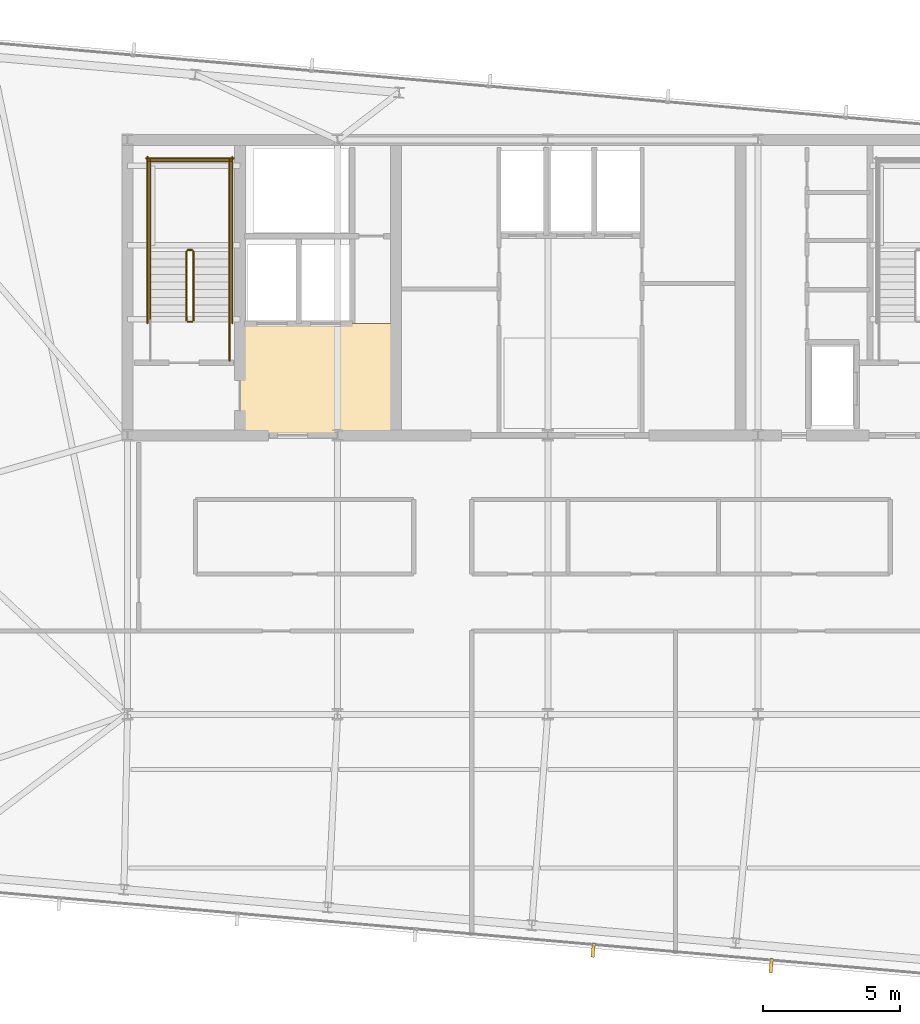
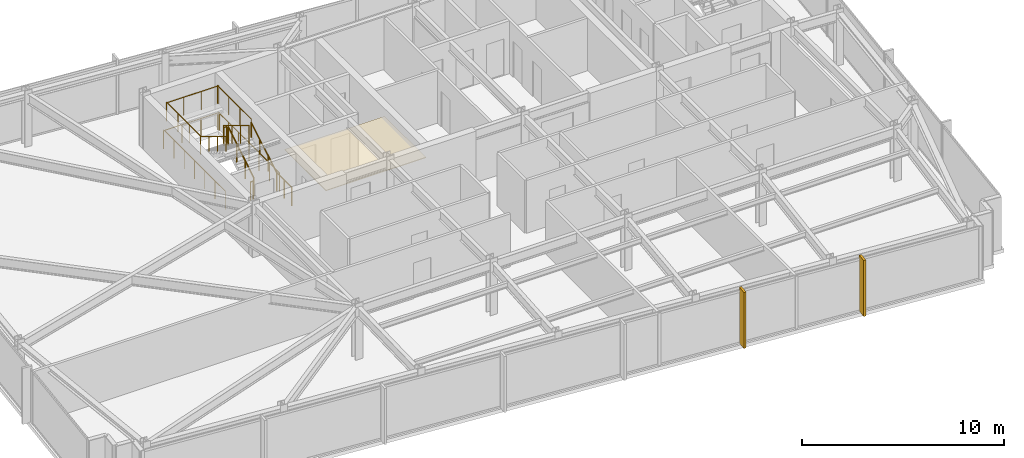
# One storey, part 30 of 32: 13 railings, 2 shading devices, 1 covering.
"""IFC4 building model written with IfcOpenShell, lengths in metres."""

from ifc_helpers import new_model, si_unit, direction, frame, origin, origin_2d, place, context, subcontext, project, spatial, polyline, rectangle, circle, outline, extrude, material, layer, layer_set, type_object, element, save


model = new_model("IFC4")

# Units and contexts
model_context = context("Model", 3, precision=1e-05, world=origin(), true_north=direction((0.0, 1.0)))
body_context = subcontext(model_context, "Body", "Model", "MODEL_VIEW")
ifc_project = project(units=[si_unit("LENGTHUNIT", "METRE"), si_unit("AREAUNIT", "SQUARE_METRE"), si_unit("VOLUMEUNIT", "CUBIC_METRE"), si_unit("PLANEANGLEUNIT", "RADIAN"), si_unit("MASSUNIT", "GRAM", prefix="KILO")], contexts=[model_context])

# Site, building, storey
site_placement = place(None, origin())
site = spatial("IfcSite", under=ifc_project, at=site_placement, CompositionType="ELEMENT")
building_placement = place(site_placement, origin())
building = spatial("IfcBuilding", under=site, at=building_placement, Name="Yelkora Congress Tower", CompositionType="ELEMENT")
storey_placement = place(building_placement, frame((0.0, 0.0, 265.89990234375)))
storey = spatial("IfcBuildingStorey", under=building, at=storey_placement, Name="L74", CompositionType="ELEMENT", Elevation=265.89990234375)

# Covering
ifc_material_1 = material(Name="Perforated mineral-fibre acoustic ceiling", Category="gypsum")
ifc_layer_1 = layer(ifc_material_1, 0.0400390625)
ifc_layer_set_1 = layer_set([ifc_layer_1], Name="Perforated mineral-fibre acoustic ceiling")
covering_type = type_object("IfcCoveringType", Name="COV-CEIL-ACOUSTIC-40", PredefinedType="CEILING", material=ifc_layer_set_1)
covering_placement = place(storey_placement, frame((0.0, 0.0, 2.400146484375)))
element("IfcCovering", 1, at=covering_placement, inside=storey, type_object=covering_type, Name="L74 Firefighting Lobby Acoustic Ceiling", PredefinedType="CEILING", context=body_context, shape_type="SweptSolid", body=[
    extrude(outline(polyline([(27.14990234375, 35.39990234375), (32.85009765625, 35.39990234375), (32.85009765625, 39.47998046875), (27.14990234375, 39.47998046875), (27.14990234375, 35.39990234375)])), origin(), (0.0, 0.0, 1.0), 0.0400390625),
])

# Railings
ifc_material_2 = material(Name="Painted galvanised steel stair well guard with vertical infill", Category="steel")
ifc_layer_2 = layer(ifc_material_2, 0.06005859375)
ifc_layer_set_2 = layer_set([ifc_layer_2], Name="Painted galvanised steel stair well guard with vertical infill")
railing_type_1 = type_object("IfcRailingType", Name="RAIL-STAIR-GUARD-1120", PredefinedType="GUARDRAIL", material=ifc_layer_set_2)
railing_1_placement = place(storey_placement, frame((25.449951171875, 39.60009765625, 0.170166015625)))
element("IfcRailing", 2, at=railing_1_placement, inside=storey, type_object=railing_type_1, Name="ST-01 L74 Stair Well Guardrail 1", PredefinedType="GUARDRAIL", context=body_context, shape_type="SweptSolid", body=[
    extrude(circle(Radius=0.02392578125, at=origin_2d()), frame((0.0, 0.0, 1.09619140625), z_axis=(0.0, 0.85478489116, 0.518982456201), x_axis=(-1.0, 0.0, 0.0)), (0.0, 0.0, 1.0), 2.9482421875),
    extrude(circle(Radius=0.02099609375, at=origin_2d()), origin(), (0.0, 0.0, 1.0), 1.072021484375),
    extrude(circle(Radius=0.02099609375, at=origin_2d()), frame((0.0, 0.840087890625, 0.510009765625)), (0.0, 0.0, 1.0), 1.072021484375),
    extrude(circle(Radius=0.02099609375, at=origin_2d()), frame((0.0, 1.679931640625, 1.02001953125)), (0.0, 0.0, 1.0), 1.072021484375),
    extrude(circle(Radius=0.02099609375, at=origin_2d()), frame((0.0, 2.52001953125, 1.530029296875)), (0.0, 0.0, 1.0), 1.072021484375),
])
railing_2_placement = place(storey_placement, frame((25.39990234375, 42.169921875, 1.7001953125)))
element("IfcRailing", 3, at=railing_2_placement, inside=storey, type_object=railing_type_1, Name="ST-01 L74 Stair Well Guardrail 2", PredefinedType="GUARDRAIL", context=body_context, shape_type="SweptSolid", body=[
    extrude(circle(Radius=0.02392578125, at=origin_2d()), frame((0.0, 0.0, 1.09619140625), z_axis=(-1.0, 0.0, 0.0), x_axis=(0.0, -1.0, 0.0)), (0.0, 0.0, 1.0), 0.159912109375),
    extrude(circle(Radius=0.02099609375, at=origin_2d()), origin(), (0.0, 0.0, 1.0), 1.072021484375),
    extrude(circle(Radius=0.02099609375, at=origin_2d()), frame((-0.159912109375, 0.0, 0.0)), (0.0, 0.0, 1.0), 1.072021484375),
])
for number, where, name in (
    (4, (26.77001953125, 42.1201171875, 1.7001953125), "ST-01 L74 Stair Well Guardrail 3"),
    (5, (23.8701171875, 42.1201171875, 1.7001953125), "ST-01 L74 Stair Well Guardrail 4"),
):
    element("IfcRailing", number, at=place(storey_placement, frame(where)), inside=storey, type_object=railing_type_1, Name=name, PredefinedType="GUARDRAIL", context=body_context, shape_type="SweptSolid", body=[
        extrude(circle(Radius=0.02392578125, at=origin_2d()), frame((0.0, 0.0, 1.09619140625), z_axis=(0.0, 1.0, 0.0), x_axis=(-1.0, 0.0, 0.0)), (0.0, 0.0, 1.0), 3.349853515625),
        extrude(circle(Radius=0.02099609375, at=origin_2d()), origin(), (0.0, 0.0, 1.0), 1.072021484375),
        extrude(circle(Radius=0.02099609375, at=origin_2d()), frame((0.0, 1.11669921875, 0.0)), (0.0, 0.0, 1.0), 1.072021484375),
        extrude(circle(Radius=0.02099609375, at=origin_2d()), frame((0.0, 2.233154296875, 0.0)), (0.0, 0.0, 1.0), 1.072021484375),
        extrude(circle(Radius=0.02099609375, at=origin_2d()), frame((0.0, 3.349853515625, 0.0)), (0.0, 0.0, 1.0), 1.072021484375),
    ])
railing_3_placement = place(storey_placement, frame((26.820068359375, 45.419921875, 1.7001953125)))
element("IfcRailing", 6, at=railing_3_placement, inside=storey, type_object=railing_type_1, Name="ST-01 L74 Stair Well Guardrail 5", PredefinedType="GUARDRAIL", context=body_context, shape_type="SweptSolid", body=[
    extrude(circle(Radius=0.02392578125, at=origin_2d()), frame((0.0, 0.0, 1.09619140625), z_axis=(-1.0, 0.0, 0.0), x_axis=(0.0, -1.0, 0.0)), (0.0, 0.0, 1.0), 3.0),
    extrude(circle(Radius=0.02099609375, at=origin_2d()), origin(), (0.0, 0.0, 1.0), 1.072021484375),
    extrude(circle(Radius=0.02099609375, at=origin_2d()), frame((-1.0, 0.0, 0.0)), (0.0, 0.0, 1.0), 1.072021484375),
    extrude(circle(Radius=0.02099609375, at=origin_2d()), frame((-2.0, 0.0, 0.0)), (0.0, 0.0, 1.0), 1.072021484375),
    extrude(circle(Radius=0.02099609375, at=origin_2d()), frame((-3.0, 0.0, 0.0)), (0.0, 0.0, 1.0), 1.072021484375),
])
railing_4_placement = place(storey_placement, frame((25.18994140625, 42.1201171875, 1.8701171875)))
element("IfcRailing", 7, at=railing_4_placement, inside=storey, type_object=railing_type_1, Name="ST-01 L74 Stair Well Guardrail 6", PredefinedType="GUARDRAIL", context=body_context, shape_type="SweptSolid", body=[
    extrude(circle(Radius=0.02392578125, at=origin_2d()), frame((0.0, 0.0, 1.09619140625), z_axis=(0.0, -0.85478489116, 0.518982456201), x_axis=(1.0, 0.0, 0.0)), (0.0, 0.0, 1.0), 2.9482421875),
    extrude(circle(Radius=0.02099609375, at=origin_2d()), origin(), (0.0, 0.0, 1.0), 1.072021484375),
    extrude(circle(Radius=0.02099609375, at=origin_2d()), frame((0.0, -0.840087890625, 0.510009765625)), (0.0, 0.0, 1.0), 1.072021484375),
    extrude(circle(Radius=0.02099609375, at=origin_2d()), frame((0.0, -1.679931640625, 1.02001953125)), (0.0, 0.0, 1.0), 1.072021484375),
    extrude(circle(Radius=0.02099609375, at=origin_2d()), frame((0.0, -2.52001953125, 1.530029296875)), (0.0, 0.0, 1.0), 1.072021484375),
])
railing_5_placement = place(storey_placement, frame((25.39990234375, 39.550048828125, 0.0)))
element("IfcRailing", 8, at=railing_5_placement, inside=storey, type_object=railing_type_1, Name="ST-01 L74 Stair Well Guardrail 7", PredefinedType="GUARDRAIL", context=body_context, shape_type="SweptSolid", body=[
    extrude(circle(Radius=0.02392578125, at=origin_2d()), frame((0.0, 0.0, 1.09619140625), z_axis=(-1.0, 0.0, 0.0), x_axis=(0.0, -1.0, 0.0)), (0.0, 0.0, 1.0), 0.159912109375),
    extrude(circle(Radius=0.02099609375, at=origin_2d()), origin(), (0.0, 0.0, 1.0), 1.072021484375),
    extrude(circle(Radius=0.02099609375, at=origin_2d()), frame((-0.159912109375, 0.0, 0.0)), (0.0, 0.0, 1.0), 1.072021484375),
])
railing_6_placement = place(storey_placement, frame((26.77001953125, 38.1201171875, 0.0)))
element("IfcRailing", 9, at=railing_6_placement, inside=storey, type_object=railing_type_1, Name="ST-01 L74 Stair Well Guardrail 8", PredefinedType="GUARDRAIL", context=body_context, shape_type="SweptSolid", body=[
    extrude(circle(Radius=0.02392578125, at=origin_2d()), frame((0.0, 0.0, 1.09619140625), z_axis=(0.0, 1.0, 0.0), x_axis=(-1.0, 0.0, 0.0)), (0.0, 0.0, 1.0), 1.47998046875),
    extrude(circle(Radius=0.02099609375, at=origin_2d()), origin(), (0.0, 0.0, 1.0), 1.072021484375),
    extrude(circle(Radius=0.02099609375, at=origin_2d()), frame((0.0, 0.739990234375, 0.0)), (0.0, 0.0, 1.0), 1.072021484375),
    extrude(circle(Radius=0.02099609375, at=origin_2d()), frame((0.0, 1.47998046875, 0.0)), (0.0, 0.0, 1.0), 1.072021484375),
])
for number, where, name in (
    (10, (26.8701171875, 39.5, 0.0), "ST-01 L74 Stair Well Guardrail 10"),
    (11, (23.77001953125, 39.5, 0.0), "ST-01 L74 Stair Well Guardrail 11"),
):
    element("IfcRailing", number, at=place(storey_placement, frame(where)), inside=storey, type_object=railing_type_1, Name=name, PredefinedType="GUARDRAIL", context=body_context, shape_type="SweptSolid", body=[
        extrude(circle(Radius=0.02392578125, at=origin_2d()), frame((0.0, 0.0, 1.09619140625), z_axis=(0.0, 1.0, 0.0), x_axis=(-1.0, 0.0, 0.0)), (0.0, 0.0, 1.0), 6.070068359375),
        extrude(circle(Radius=0.02099609375, at=origin_2d()), origin(), (0.0, 0.0, 1.0), 1.072021484375),
        extrude(circle(Radius=0.02099609375, at=origin_2d()), frame((0.0, 1.01171875, 0.0)), (0.0, 0.0, 1.0), 1.072021484375),
        extrude(circle(Radius=0.02099609375, at=origin_2d()), frame((0.0, 2.0234375, 0.0)), (0.0, 0.0, 1.0), 1.072021484375),
        extrude(circle(Radius=0.02099609375, at=origin_2d()), frame((0.0, 3.03515625, 0.0)), (0.0, 0.0, 1.0), 1.072021484375),
        extrude(circle(Radius=0.02099609375, at=origin_2d()), frame((0.0, 4.046630859375, 0.0)), (0.0, 0.0, 1.0), 1.072021484375),
        extrude(circle(Radius=0.02099609375, at=origin_2d()), frame((0.0, 5.058349609375, 0.0)), (0.0, 0.0, 1.0), 1.072021484375),
        extrude(circle(Radius=0.02099609375, at=origin_2d()), frame((0.0, 6.070068359375, 0.0)), (0.0, 0.0, 1.0), 1.072021484375),
    ])
railing_7_placement = place(storey_placement, frame((26.919921875, 45.52001953125, 0.0)))
element("IfcRailing", 12, at=railing_7_placement, inside=storey, type_object=railing_type_1, Name="ST-01 L74 Stair Well Guardrail 12", PredefinedType="GUARDRAIL", context=body_context, shape_type="SweptSolid", body=[
    extrude(circle(Radius=0.02392578125, at=origin_2d()), frame((0.0, 0.0, 1.09619140625), z_axis=(-1.0, 0.0, 0.0), x_axis=(0.0, -1.0, 0.0)), (0.0, 0.0, 1.0), 3.199951171875),
    extrude(circle(Radius=0.02099609375, at=origin_2d()), origin(), (0.0, 0.0, 1.0), 1.072021484375),
    extrude(circle(Radius=0.02099609375, at=origin_2d()), frame((-1.066650390625, 0.0, 0.0)), (0.0, 0.0, 1.0), 1.072021484375),
    extrude(circle(Radius=0.02099609375, at=origin_2d()), frame((-2.13330078125, 0.0, 0.0)), (0.0, 0.0, 1.0), 1.072021484375),
    extrude(circle(Radius=0.02099609375, at=origin_2d()), frame((-3.199951171875, 0.0, 0.0)), (0.0, 0.0, 1.0), 1.072021484375),
])
ifc_material_3 = material(Name="Brushed stainless steel tubular handrail", Category="steel")
ifc_layer_3 = layer(ifc_material_3, 0.050048828125)
ifc_layer_set_3 = layer_set([ifc_layer_3], Name="Brushed stainless steel tubular handrail")
railing_type_2 = type_object("IfcRailingType", Name="RAIL-STAIR-HAND-920", PredefinedType="HANDRAIL", material=ifc_layer_set_3)
railing_8_placement = place(storey_placement, frame((26.77001953125, 39.60009765625, 0.170166015625)))
element("IfcRailing", 13, at=railing_8_placement, inside=storey, type_object=railing_type_2, Name="ST-01 L74 Pitch Handrail 1", PredefinedType="HANDRAIL", context=body_context, shape_type="SweptSolid", body=[
    extrude(circle(Radius=0.02392578125, at=origin_2d()), frame((0.0, 0.0, 0.89599609375), z_axis=(0.0, 0.85478489116, 0.518982456201), x_axis=(-1.0, 0.0, 0.0)), (0.0, 0.0, 1.0), 2.9482421875),
    extrude(circle(Radius=0.02099609375, at=origin_2d()), origin(), (0.0, 0.0, 1.0), 0.871826171875),
    extrude(circle(Radius=0.02099609375, at=origin_2d()), frame((0.0, 0.840087890625, 0.510009765625)), (0.0, 0.0, 1.0), 0.871826171875),
    extrude(circle(Radius=0.02099609375, at=origin_2d()), frame((0.0, 1.679931640625, 1.02001953125)), (0.0, 0.0, 1.0), 0.871826171875),
    extrude(circle(Radius=0.02099609375, at=origin_2d()), frame((0.0, 2.52001953125, 1.530029296875)), (0.0, 0.0, 1.0), 0.871826171875),
])
railing_9_placement = place(storey_placement, frame((23.8701171875, 42.1201171875, 1.8701171875)))
element("IfcRailing", 14, at=railing_9_placement, inside=storey, type_object=railing_type_2, Name="ST-01 L74 Pitch Handrail 2", PredefinedType="HANDRAIL", context=body_context, shape_type="SweptSolid", body=[
    extrude(circle(Radius=0.02392578125, at=origin_2d()), frame((0.0, 0.0, 0.89599609375), z_axis=(0.0, -0.85478489116, 0.518982456201), x_axis=(1.0, 0.0, 0.0)), (0.0, 0.0, 1.0), 2.9482421875),
    extrude(circle(Radius=0.02099609375, at=origin_2d()), origin(), (0.0, 0.0, 1.0), 0.871826171875),
    extrude(circle(Radius=0.02099609375, at=origin_2d()), frame((0.0, -0.840087890625, 0.510009765625)), (0.0, 0.0, 1.0), 0.871826171875),
    extrude(circle(Radius=0.02099609375, at=origin_2d()), frame((0.0, -1.679931640625, 1.02001953125)), (0.0, 0.0, 1.0), 0.871826171875),
    extrude(circle(Radius=0.02099609375, at=origin_2d()), frame((0.0, -2.52001953125, 1.530029296875)), (0.0, 0.0, 1.0), 0.871826171875),
])

# Shading devices
ifc_material_4 = material(Name="Champagne anodised aluminium", Category="aluminium")
ifc_layer_4 = layer(ifc_material_4, 3.300048828125)
ifc_layer_set_4 = layer_set([ifc_layer_4], Name="Champagne anodised aluminium")
shading_device_type = type_object("IfcShadingDeviceType", Name="SHD-FIN-ALU-520", PredefinedType="USERDEFINED", material=ifc_layer_set_4)
for number, where, z_axis, x_axis, name in (
    (15, (46.567138671875, 16.0107421875, -0.02978515625), (0.0, 0.0, 1.0), (-0.996194698092, 0.087155742748, 0.0), "L74 Vertical Anodised Solar Fin 20-1"),
    (16, (40.060546875, 16.579833984375, -0.02978515625), (0.0, 0.0, 1.0), (-0.996194698092, 0.087155742748, 0.0), "L74 Vertical Anodised Solar Fin 20-2"),
):
    element("IfcShadingDevice", number, at=place(storey_placement, frame(where, z_axis=z_axis, x_axis=x_axis)), inside=storey, type_object=shading_device_type, Name=name, ObjectType="FIN", PredefinedType="USERDEFINED", context=body_context, shape_type="SweptSolid", body=[
        extrude(rectangle(XDim=0.1201171875, YDim=0.52001953125, at=origin_2d()), origin(), (0.0, 0.0, 1.0), 3.3798828125),
    ])

save(model, "model.ifc")
